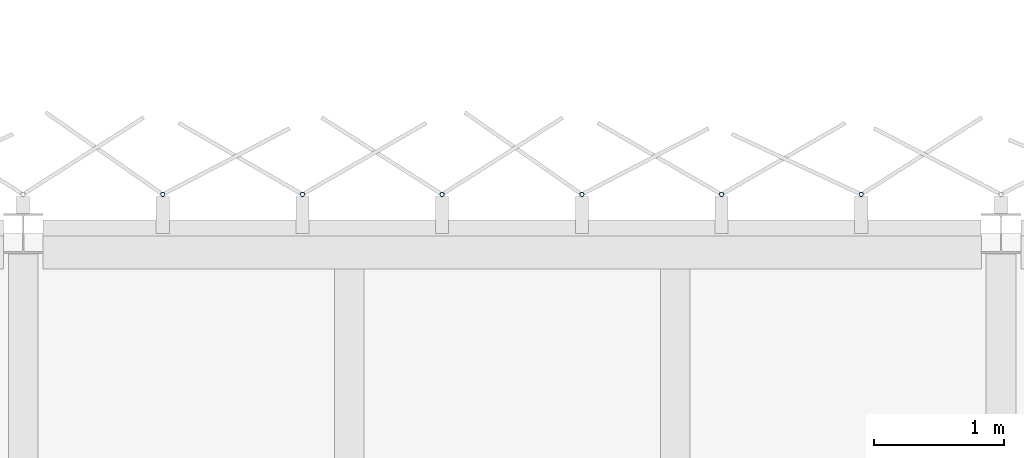
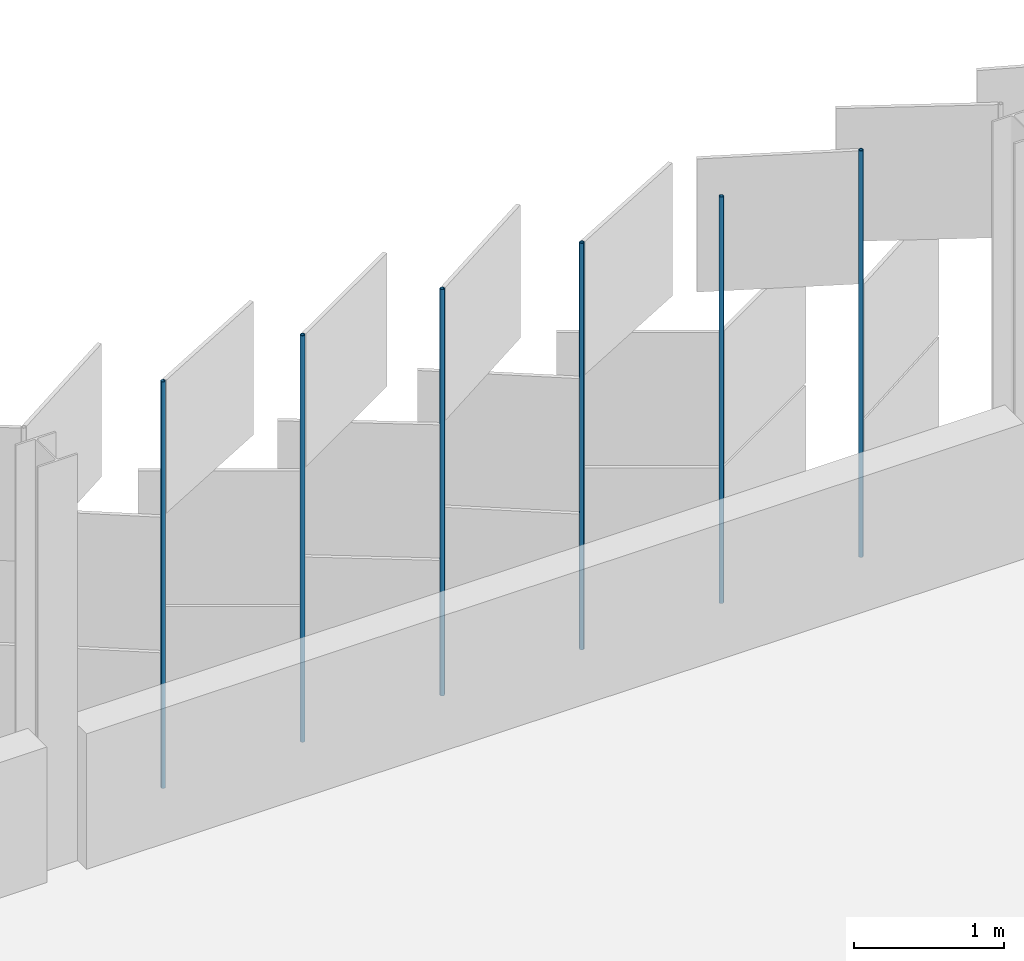
# One storey, part 152 of 198: 6 discrete accessories.
"""IFC4 building model written with IfcOpenShell, lengths in metres."""

from ifc_helpers import new_model, si_unit, direction, frame, origin, origin_2d, place, context, subcontext, project, spatial, hollow_circle, extrude, material, material_profile, profile_set, type_object, element, save


model = new_model("IFC4")

# Units and contexts
model_context = context("Model", 3, precision=1e-05, world=origin(), true_north=direction((0.0, 1.0)))
body_context = subcontext(model_context, "Body", "Model", "MODEL_VIEW")
ifc_project = project(units=[si_unit("LENGTHUNIT", "METRE"), si_unit("AREAUNIT", "SQUARE_METRE"), si_unit("VOLUMEUNIT", "CUBIC_METRE"), si_unit("PLANEANGLEUNIT", "RADIAN"), si_unit("MASSUNIT", "GRAM", prefix="KILO")], contexts=[model_context])

# Site, building, storey
site_placement = place(None, origin())
site = spatial("IfcSite", under=ifc_project, at=site_placement, CompositionType="ELEMENT")
building_placement = place(site_placement, origin())
building = spatial("IfcBuilding", under=site, at=building_placement, Name="Parallax Yard Mobility Hub", CompositionType="ELEMENT")
storey_placement = place(building_placement, frame((0.0, 0.0, 6.60009765625)))
storey = spatial("IfcBuildingStorey", under=building, at=storey_placement, Name="L02", CompositionType="ELEMENT", Elevation=6.60009765625)

# Discrete accessories
ifc_material = material(Name="Steel ASTM A500 Gr C, hot-dip galvanised", Category="steel")
ifc_material_profile = material_profile(ifc_material, hollow_circle(Radius=0.016845703125, WallThickness=0.003173828125, at=origin_2d()), Name="CHS 33.7x3.2")
ifc_profile_set = profile_set([ifc_material_profile], Name="Steel ASTM A500 Gr C, hot-dip galvanised")
discrete_accessory_type = type_object("IfcDiscreteAccessoryType", Name="Hinge post CHS 33.7x3.2", PredefinedType="BRACKET", material=ifc_profile_set)
for number, where, z_axis, x_axis, name in (
    (1, (148.927490234375, 142.800048828125, 0.0), (0.0, 0.0, 1.0), (1.0, 0.0, 0.0), "Hinge post bay 54.2 level L02"),
    (2, (147.856201171875, 142.800048828125, 0.0), (0.0, 0.0, 1.0), (1.0, 0.0, 0.0), "Hinge post bay 54.3 level L02"),
    (3, (146.784423828125, 142.800048828125, 0.0), (0.0, 0.0, 1.0), (1.0, 0.0, 0.0), "Hinge post bay 54.4 level L02"),
    (4, (145.712890625, 142.800048828125, 0.0), (0.0, 0.0, 1.0), (1.0, 0.0, 0.0), "Hinge post bay 54.5 level L02"),
    (5, (144.641357421875, 142.800048828125, 0.0), (0.0, 0.0, 1.0), (1.0, 0.0, 0.0), "Hinge post bay 54.6 level L02"),
    (6, (143.56982421875, 142.800048828125, 0.0), (0.0, 0.0, 1.0), (1.0, 0.0, 0.0), "Hinge post bay 54.7 level L02"),
):
    element("IfcDiscreteAccessory", number, at=place(storey_placement, frame(where, z_axis=z_axis, x_axis=x_axis)), inside=storey, type_object=discrete_accessory_type, Name=name, PredefinedType="BRACKET", context=body_context, shape_type="SweptSolid", body=[
        extrude(hollow_circle(Radius=0.016845703125, WallThickness=0.003173828125, at=origin_2d()), origin(), (0.0, 0.0, 1.0), 3.2998046875),
    ])

save(model, "model.ifc")
